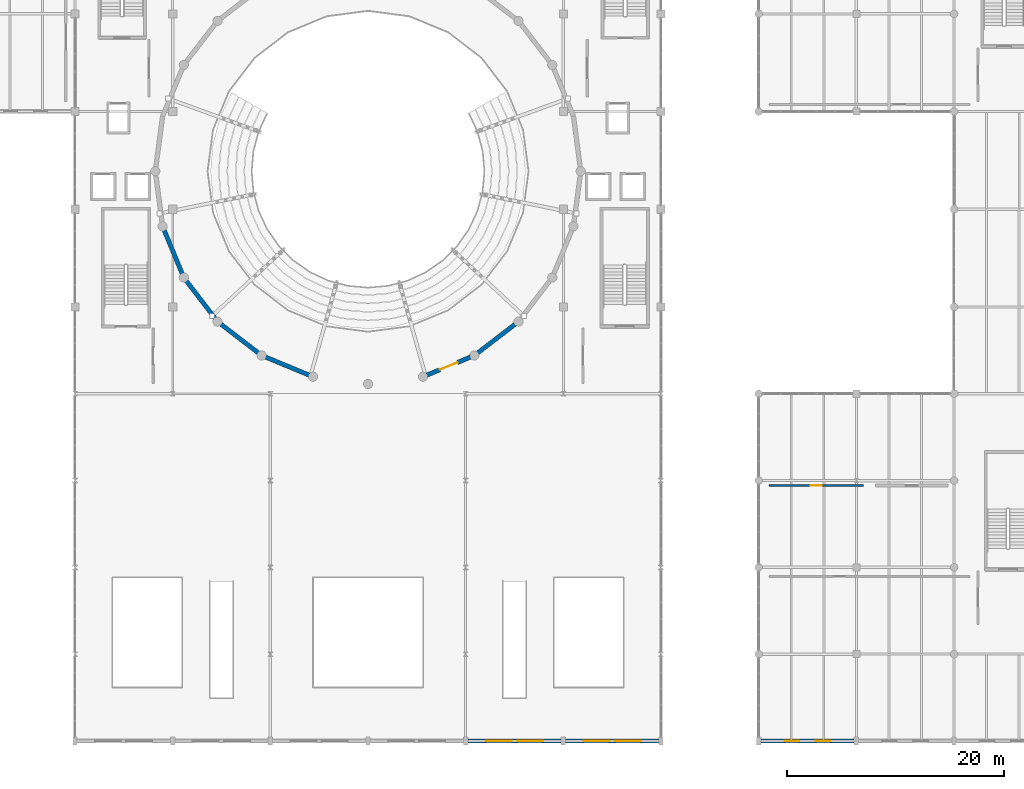
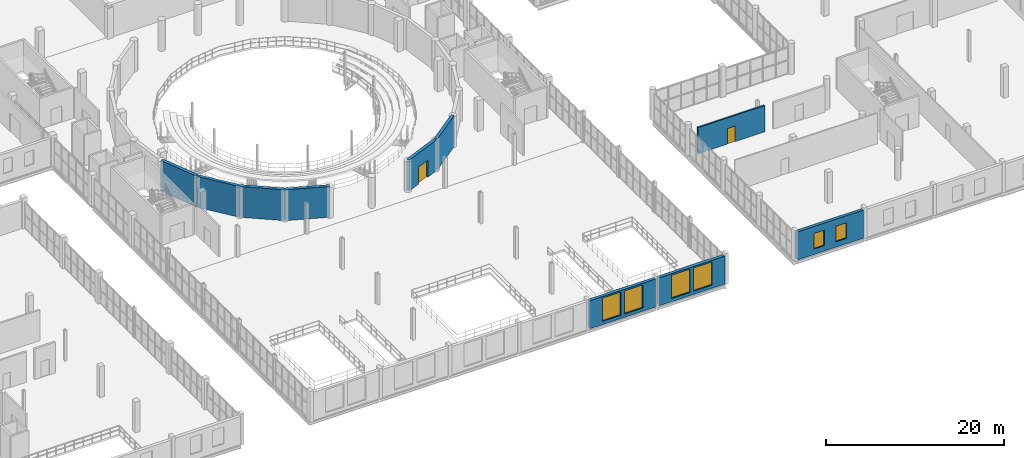
# One storey, part 64 of 85: 10 walls, 6 windows, 2 doors, 8 openings.
"""IFC4 building model written with IfcOpenShell, lengths in metres."""

from ifc_helpers import new_model, si_unit, direction, frame, frame_2d, origin, place, context, subcontext, project, spatial, rectangle, extrude, material, layer, layer_set, type_object, element, fill, save


model = new_model("IFC4")

# Units and contexts
model_context = context("Model", 3, precision=1e-05, world=origin(), true_north=direction((0.0, 1.0)))
body_context = subcontext(model_context, "Body", "Model", "MODEL_VIEW")
ifc_project = project(units=[si_unit("LENGTHUNIT", "METRE"), si_unit("AREAUNIT", "SQUARE_METRE"), si_unit("VOLUMEUNIT", "CUBIC_METRE"), si_unit("PLANEANGLEUNIT", "RADIAN"), si_unit("MASSUNIT", "GRAM", prefix="KILO")], contexts=[model_context])

# Site, building, storey
site_placement = place(None, origin())
site = spatial("IfcSite", under=ifc_project, at=site_placement, CompositionType="ELEMENT")
building_placement = place(site_placement, origin())
building = spatial("IfcBuilding", under=site, at=building_placement, Name="Marnock Terrace Opera House", CompositionType="ELEMENT")
storey_placement = place(building_placement, frame((0.0, 0.0, 10.199951171875)))
storey = spatial("IfcBuildingStorey", under=building, at=storey_placement, Name="L02", CompositionType="ELEMENT", Elevation=10.199951171875)

# Wall, openings, windows
ifc_material_1 = material(Name="Basket Range sandstone ashlar masonry", Category="masonry")
ifc_layer_1 = layer(ifc_material_1, 0.389892578125)
ifc_layer_set_1 = layer_set([ifc_layer_1], Name="Basket Range sandstone ashlar masonry")
wall_type_1 = type_object("IfcWallType", Name="EW-ASHLAR-390", PredefinedType="SOLIDWALL", material=ifc_layer_set_1)
wall_1_placement = place(storey_placement, frame((118.196044921875, 8.0, 0.0), z_axis=(0.0, 0.0, 1.0), x_axis=(1.0, 0.0, 0.0)))
wall_1 = element("IfcWall", 1, at=wall_1_placement, inside=storey, type_object=wall_type_1, Name="L02 Volume 5 south sandstone facade 1", PredefinedType="SOLIDWALL", context=body_context, shape_type="SweptSolid", body=[
    extrude(rectangle(XDim=8.60791015625, YDim=0.389892578125, at=frame_2d((4.303955078125, 0.0))), origin(), (0.0, 0.0, 1.0), 3.8515625),
])
opening_1_placement = place(wall_1_placement, frame((2.1943359375, 0.0, 0.75)))
opening_1 = element("IfcOpeningElement", 2, at=opening_1_placement, cuts=wall_1, Name="Opening WT-102", PredefinedType="OPENING", context=body_context, shape_type="SweptSolid", body=[
    extrude(rectangle(XDim=1.35009765625, YDim=2.14990234375, at=frame_2d((0.675048828125, 1.074951171875))), frame((0.0, 0.204833984375, 0.0), z_axis=(0.0, -1.0, 0.0), x_axis=(1.0, 0.0, 0.0)), (0.0, 0.0, 1.0), 0.409912109375),
])
opening_2_placement = place(wall_1_placement, frame((5.063720703125, 0.0, 0.75)))
opening_2 = element("IfcOpeningElement", 3, at=opening_2_placement, cuts=wall_1, Name="Opening WT-102", PredefinedType="OPENING", context=body_context, shape_type="SweptSolid", body=[
    extrude(rectangle(XDim=1.35009765625, YDim=2.14990234375, at=frame_2d((0.675048828125, 1.074951171875))), frame((0.0, 0.204833984375, 0.0), z_axis=(0.0, -1.0, 0.0), x_axis=(1.0, 0.0, 0.0)), (0.0, 0.0, 1.0), 0.409912109375),
])
ifc_material_2 = material(Name="Double-glazed acoustic low-E laminated glass", Category="glass")
window_type_1 = type_object("IfcWindowType", Name="WT-SUITE-1350", PartitioningType="SINGLE_PANEL", PredefinedType="WINDOW", material=ifc_material_2)
window_1_placement = place(opening_1_placement, origin())
window_1 = element("IfcWindow", 4, at=window_1_placement, inside=storey, type_object=window_type_1, Name="L02 facade window EW-V5S-L02-1.1", OverallHeight=2.14990234375, OverallWidth=1.35009765625, PartitioningType="SINGLE_PANEL", PredefinedType="WINDOW", context=body_context, shape_type="SweptSolid", body=[
    extrude(rectangle(XDim=1.35009765625, YDim=2.14990234375, at=frame_2d((0.675048828125, 1.074951171875))), frame((0.0, 0.030029296875, 0.0), z_axis=(0.0, -1.0, 0.0), x_axis=(1.0, 0.0, 0.0)), (0.0, 0.0, 1.0), 0.06005859375),
])
fill(opening_1, window_1)
window_2_placement = place(opening_2_placement, origin())
window_2 = element("IfcWindow", 5, at=window_2_placement, inside=storey, type_object=window_type_1, Name="L02 facade window EW-V5S-L02-1.2", OverallHeight=2.14990234375, OverallWidth=1.35009765625, PartitioningType="SINGLE_PANEL", PredefinedType="WINDOW", context=body_context, shape_type="SweptSolid", body=[
    extrude(rectangle(XDim=1.35009765625, YDim=2.14990234375, at=frame_2d((0.675048828125, 1.074951171875))), frame((0.0, 0.030029296875, 0.0), z_axis=(0.0, -1.0, 0.0), x_axis=(1.0, 0.0, 0.0)), (0.0, 0.0, 1.0), 0.06005859375),
])
fill(opening_2, window_2)

ifc_layer_2 = layer(ifc_material_1, 0.405029296875)
ifc_layer_set_2 = layer_set([ifc_layer_2], Name="Basket Range sandstone ashlar masonry")
wall_type_2 = type_object("IfcWallType", Name="EW-ASHLAR-405", PredefinedType="SOLIDWALL", material=ifc_layer_set_2)
wall_2_placement = place(storey_placement, frame((91.196044921875, 8.0, 0.0), z_axis=(0.0, 0.0, 1.0), x_axis=(1.0, 0.0, 0.0)))
wall_2 = element("IfcWall", 6, at=wall_2_placement, inside=storey, type_object=wall_type_2, Name="L02 Grand Hall south sandstone arcade bay 5", PredefinedType="SOLIDWALL", context=body_context, shape_type="SweptSolid", body=[
    extrude(rectangle(XDim=8.60791015625, YDim=0.405029296875, at=frame_2d((4.303955078125, 0.0))), origin(), (0.0, 0.0, 1.0), 3.8515625),
])
opening_3_placement = place(wall_2_placement, frame((1.669189453125, 0.0, 0.449951171875)))
opening_3 = element("IfcOpeningElement", 7, at=opening_3_placement, cuts=wall_2, Name="Opening WT-13", PredefinedType="OPENING", context=body_context, shape_type="SweptSolid", body=[
    extrude(rectangle(XDim=2.39990234375, YDim=3.199951171875, at=frame_2d((1.199951171875, 1.60009765625))), frame((0.0, 0.21240234375, 0.0), z_axis=(0.0, -1.0, 0.0), x_axis=(1.0, 0.0, 0.0)), (0.0, 0.0, 1.0), 0.425048828125),
])
opening_4_placement = place(wall_2_placement, frame((4.538818359375, 0.0, 0.449951171875)))
opening_4 = element("IfcOpeningElement", 8, at=opening_4_placement, cuts=wall_2, Name="Opening WT-13", PredefinedType="OPENING", context=body_context, shape_type="SweptSolid", body=[
    extrude(rectangle(XDim=2.39990234375, YDim=3.199951171875, at=frame_2d((1.199951171875, 1.60009765625))), frame((0.0, 0.21240234375, 0.0), z_axis=(0.0, -1.0, 0.0), x_axis=(1.0, 0.0, 0.0)), (0.0, 0.0, 1.0), 0.425048828125),
])
window_type_2 = type_object("IfcWindowType", Name="WT-COLOSSAL-2400", PartitioningType="DOUBLE_PANEL_VERTICAL", PredefinedType="WINDOW", material=ifc_material_2)
window_3_placement = place(opening_3_placement, origin())
window_3 = element("IfcWindow", 9, at=window_3_placement, inside=storey, type_object=window_type_2, Name="L02 facade window EW-V1S-L02-5.1", OverallHeight=3.199951171875, OverallWidth=2.39990234375, PartitioningType="SINGLE_PANEL", PredefinedType="WINDOW", context=body_context, shape_type="SweptSolid", body=[
    extrude(rectangle(XDim=2.39990234375, YDim=3.199951171875, at=frame_2d((1.199951171875, 1.60009765625))), frame((0.0, 0.030029296875, 0.0), z_axis=(0.0, -1.0, 0.0), x_axis=(1.0, 0.0, 0.0)), (0.0, 0.0, 1.0), 0.06005859375),
])
fill(opening_3, window_3)
window_4_placement = place(opening_4_placement, origin())
window_4 = element("IfcWindow", 10, at=window_4_placement, inside=storey, type_object=window_type_2, Name="L02 facade window EW-V1S-L02-5.2", OverallHeight=3.199951171875, OverallWidth=2.39990234375, PartitioningType="SINGLE_PANEL", PredefinedType="WINDOW", context=body_context, shape_type="SweptSolid", body=[
    extrude(rectangle(XDim=2.39990234375, YDim=3.199951171875, at=frame_2d((1.199951171875, 1.60009765625))), frame((0.0, 0.030029296875, 0.0), z_axis=(0.0, -1.0, 0.0), x_axis=(1.0, 0.0, 0.0)), (0.0, 0.0, 1.0), 0.06005859375),
])
fill(opening_4, window_4)

wall_3_placement = place(storey_placement, frame((100.196044921875, 8.0, 0.0), z_axis=(0.0, 0.0, 1.0), x_axis=(1.0, 0.0, 0.0)))
wall_3 = element("IfcWall", 11, at=wall_3_placement, inside=storey, type_object=wall_type_2, Name="L02 Grand Hall south sandstone arcade bay 6", PredefinedType="SOLIDWALL", context=body_context, shape_type="SweptSolid", body=[
    extrude(rectangle(XDim=8.60791015625, YDim=0.405029296875, at=frame_2d((4.303955078125, 0.0))), origin(), (0.0, 0.0, 1.0), 3.8515625),
])
opening_5_placement = place(wall_3_placement, frame((1.669189453125, 0.0, 0.449951171875)))
opening_5 = element("IfcOpeningElement", 12, at=opening_5_placement, cuts=wall_3, Name="Opening WT-13", PredefinedType="OPENING", context=body_context, shape_type="SweptSolid", body=[
    extrude(rectangle(XDim=2.39990234375, YDim=3.199951171875, at=frame_2d((1.199951171875, 1.60009765625))), frame((0.0, 0.21240234375, 0.0), z_axis=(0.0, -1.0, 0.0), x_axis=(1.0, 0.0, 0.0)), (0.0, 0.0, 1.0), 0.425048828125),
])
opening_6_placement = place(wall_3_placement, frame((4.538818359375, 0.0, 0.449951171875)))
opening_6 = element("IfcOpeningElement", 13, at=opening_6_placement, cuts=wall_3, Name="Opening WT-13", PredefinedType="OPENING", context=body_context, shape_type="SweptSolid", body=[
    extrude(rectangle(XDim=2.39990234375, YDim=3.199951171875, at=frame_2d((1.199951171875, 1.60009765625))), frame((0.0, 0.21240234375, 0.0), z_axis=(0.0, -1.0, 0.0), x_axis=(1.0, 0.0, 0.0)), (0.0, 0.0, 1.0), 0.425048828125),
])
window_5_placement = place(opening_5_placement, origin())
window_5 = element("IfcWindow", 14, at=window_5_placement, inside=storey, type_object=window_type_2, Name="L02 facade window EW-V1S-L02-6.1", OverallHeight=3.199951171875, OverallWidth=2.39990234375, PartitioningType="SINGLE_PANEL", PredefinedType="WINDOW", context=body_context, shape_type="SweptSolid", body=[
    extrude(rectangle(XDim=2.39990234375, YDim=3.199951171875, at=frame_2d((1.199951171875, 1.60009765625))), frame((0.0, 0.030029296875, 0.0), z_axis=(0.0, -1.0, 0.0), x_axis=(1.0, 0.0, 0.0)), (0.0, 0.0, 1.0), 0.06005859375),
])
fill(opening_5, window_5)
window_6_placement = place(opening_6_placement, origin())
window_6 = element("IfcWindow", 15, at=window_6_placement, inside=storey, type_object=window_type_2, Name="L02 facade window EW-V1S-L02-6.2", OverallHeight=3.199951171875, OverallWidth=2.39990234375, PartitioningType="SINGLE_PANEL", PredefinedType="WINDOW", context=body_context, shape_type="SweptSolid", body=[
    extrude(rectangle(XDim=2.39990234375, YDim=3.199951171875, at=frame_2d((1.199951171875, 1.60009765625))), frame((0.0, 0.030029296875, 0.0), z_axis=(0.0, -1.0, 0.0), x_axis=(1.0, 0.0, 0.0)), (0.0, 0.0, 1.0), 0.06005859375),
])
fill(opening_6, window_6)

# Wall, opening, door
ifc_material_3 = material(Name="Moisture-resistant tiled service duct framing")
ifc_layer_3 = layer(ifc_material_3, 0.205078125)
ifc_layer_set_3 = layer_set([ifc_layer_3], Name="Moisture-resistant tiled service duct framing")
wall_type_3 = type_object("IfcWallType", Name="IW-PLUMB-205", PredefinedType="PLUMBINGWALL", material=ifc_layer_set_3)
wall_4_placement = place(storey_placement, frame((118.949951171875, 31.550048828125, 0.0), z_axis=(0.0, 0.0, 1.0), x_axis=(1.0, 0.0, 0.0)))
wall_4 = element("IfcWall", 16, at=wall_4_placement, inside=storey, type_object=wall_type_3, Name="L02 Public WC L02 East acoustic partition wall", PredefinedType="PLUMBINGWALL", context=body_context, shape_type="SweptSolid", body=[
    extrude(rectangle(XDim=8.699951171875, YDim=0.205078125, at=frame_2d((4.35009765625, 0.0))), origin(), (0.0, 0.0, 1.0), 3.60302734375),
])
opening_7_placement = place(wall_4_placement, frame((3.860107421875, 0.0, 0.0)))
opening_7 = element("IfcOpeningElement", 17, at=opening_7_placement, cuts=wall_4, Name="Opening D-L02-26", PredefinedType="OPENING", context=body_context, shape_type="SweptSolid", body=[
    extrude(rectangle(XDim=0.97998046875, YDim=2.139892578125, at=frame_2d((0.489990234375, 1.06982421875))), frame((0.0, 0.112548828125, 0.0), z_axis=(0.0, -1.0, 0.0), x_axis=(1.0, 0.0, 0.0)), (0.0, 0.0, 1.0), 0.22509765625),
])
ifc_material_4 = material(Name="Solid-core Tasmanian oak acoustic door leaf")
door_type_1 = type_object("IfcDoorType", Name="DT-WC-980", OperationType="NOTDEFINED", PredefinedType="DOOR", material=ifc_material_4)
door_1_placement = place(opening_7_placement, origin())
door_1 = element("IfcDoor", 18, at=door_1_placement, inside=storey, type_object=door_type_1, Name="L02 Public WC L02 East entrance door", OperationType="SINGLE_SWING_RIGHT", OverallHeight=2.139892578125, OverallWidth=0.97998046875, PredefinedType="DOOR", context=body_context, shape_type="SweptSolid", body=[
    extrude(rectangle(XDim=0.97998046875, YDim=2.139892578125, at=frame_2d((0.489990234375, 1.06982421875))), frame((0.0, 0.02490234375, 0.0), z_axis=(0.0, -1.0, 0.0), x_axis=(1.0, 0.0, 0.0)), (0.0, 0.0, 1.0), 0.050048828125),
])
fill(opening_7, door_1)

# Walls
ifc_material_5 = material(Name="Concrete N50 (f'c = 50 MPa)", Category="concrete")
ifc_layer_4 = layer(ifc_material_5, 0.39990234375)
ifc_layer_set_4 = layer_set([ifc_layer_4], Name="Concrete N50 (f'c = 50 MPa)")
wall_type_4 = type_object("IfcWallType", Name="SW-DRUM-400", PredefinedType="SHEAR", material=ifc_layer_set_4)
for number, where, z_axis, x_axis, name in (
    (19, (63.068115234375, 55.427001953125, 0.0), (0.0, 0.0, 1.0), (0.382642581018, -0.923896452635, 0.0), "L02 cylindrical auditorium drum shear wall 14"),
    (20, (65.02587890625, 50.699951171875, 0.0), (0.0, 0.0, 1.0), (0.608857194409, -0.793279847731, 0.0), "L02 cylindrical auditorium drum shear wall 15"),
    (21, (68.14111328125, 46.64111328125, 0.0), (0.0, 0.0, 1.0), (0.793279847731, -0.608857194409, 0.0), "L02 cylindrical auditorium drum shear wall 16"),
    (22, (72.199951171875, 43.52587890625, 0.0), (0.0, 0.0, 1.0), (0.923896452635, -0.382642581018, 0.0), "L02 cylindrical auditorium drum shear wall 17"),
):
    element("IfcWall", number, at=place(storey_placement, frame(where, z_axis=z_axis, x_axis=x_axis)), inside=storey, type_object=wall_type_4, Name=name, PredefinedType="SHEAR", context=body_context, shape_type="SweptSolid", body=[
        extrude(rectangle(XDim=5.116455078125, YDim=0.39990234375, at=frame_2d((2.55810546875, 0.0))), origin(), (0.0, 0.0, 1.0), 4.239990234375),
    ])

# Wall, opening, door
wall_5_placement = place(storey_placement, frame((87.072998046875, 41.568115234375, 0.0), z_axis=(0.0, 0.0, 1.0), x_axis=(0.923896452635, 0.382642581018, 0.0)))
wall_5 = element("IfcWall", 23, at=wall_5_placement, inside=storey, type_object=wall_type_4, Name="L02 cylindrical auditorium drum shear wall 20", PredefinedType="SHEAR", context=body_context, shape_type="SweptSolid", body=[
    extrude(rectangle(XDim=5.116455078125, YDim=0.39990234375, at=frame_2d((2.55810546875, 0.0))), origin(), (0.0, 0.0, 1.0), 4.239990234375),
])
opening_8_placement = place(wall_5_placement, frame((1.68310546875, 0.0, 0.0)))
opening_8 = element("IfcOpeningElement", 24, at=opening_8_placement, cuts=wall_5, Name="Opening AD-L02-19", PredefinedType="OPENING", context=body_context, shape_type="SweptSolid", body=[
    extrude(rectangle(XDim=1.75, YDim=2.35009765625, at=frame_2d((0.875, 1.175048828125))), frame((0.0, 0.2099609375, 0.0), z_axis=(0.0, -1.0, 0.0), x_axis=(1.0, 0.0, 0.0)), (0.0, 0.0, 1.0), 0.419921875),
])
door_type_2 = type_object("IfcDoorType", Name="DT-AUD-1750", OperationType="NOTDEFINED", PredefinedType="DOOR", material=ifc_material_4)
door_2_placement = place(opening_8_placement, origin())
door_2 = element("IfcDoor", 25, at=door_2_placement, inside=storey, type_object=door_type_2, Name="L02 Auditorium sound-lock double door 19", OperationType="DOUBLE_DOOR_SINGLE_SWING", OverallHeight=2.35009765625, OverallWidth=1.75, PredefinedType="DOOR", context=body_context, shape_type="SweptSolid", body=[
    extrude(rectangle(XDim=1.75, YDim=2.35009765625, at=frame_2d((0.875, 1.175048828125))), frame((0.0, 0.02490234375, 0.0), z_axis=(0.0, -1.0, 0.0), x_axis=(1.0, 0.0, 0.0)), (0.0, 0.0, 1.0), 0.050048828125),
])
fill(opening_8, door_2)

# Wall
wall_6_placement = place(storey_placement, frame((91.800048828125, 43.52587890625, 0.0), z_axis=(0.0, 0.0, 1.0), x_axis=(0.793279847731, 0.608857194409, 0.0)))
element("IfcWall", 26, at=wall_6_placement, inside=storey, type_object=wall_type_4, Name="L02 cylindrical auditorium drum shear wall 21", PredefinedType="SHEAR", context=body_context, shape_type="SweptSolid", body=[
    extrude(rectangle(XDim=5.116455078125, YDim=0.39990234375, at=frame_2d((2.55810546875, 0.0))), origin(), (0.0, 0.0, 1.0), 4.239990234375),
])

save(model, "model.ifc")
